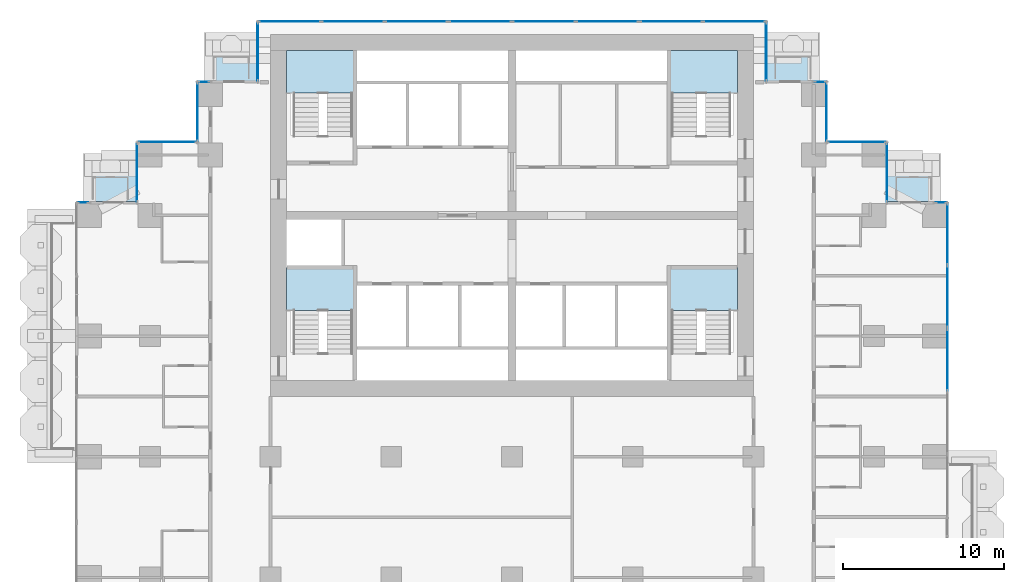
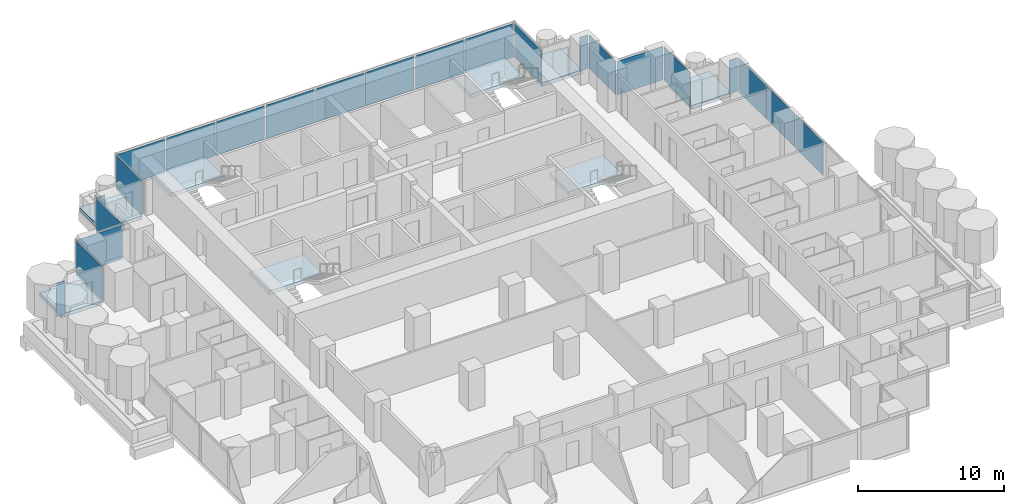
# One storey, part 9 of 18: 23 plates, 8 slabs, 21 elements without a shape of their own.
"""IFC4 building model written with IfcOpenShell, lengths in metres."""

from ifc_helpers import new_model, si_unit, direction, frame, origin, origin_2d, place, context, subcontext, project, spatial, polyline, rectangle, outline, extrude, material, layer, layer_set, type_object, element, aggregate, save


model = new_model("IFC4")

# Units and contexts
model_context = context("Model", 3, precision=1e-05, world=origin(), true_north=direction((0.0, 1.0)))
body_context = subcontext(model_context, "Body", "Model", "MODEL_VIEW")
ifc_project = project(units=[si_unit("LENGTHUNIT", "METRE"), si_unit("AREAUNIT", "SQUARE_METRE"), si_unit("VOLUMEUNIT", "CUBIC_METRE"), si_unit("PLANEANGLEUNIT", "RADIAN"), si_unit("MASSUNIT", "GRAM", prefix="KILO")], contexts=[model_context])

# Site, building, storey
site_placement = place(None, origin())
site = spatial("IfcSite", under=ifc_project, at=site_placement, CompositionType="ELEMENT")
building_placement = place(site_placement, origin())
building = spatial("IfcBuilding", under=site, at=building_placement, Name="Pilkhan Gate Tower", CompositionType="ELEMENT")
storey_placement = place(building_placement, frame((0.0, 0.0, 82.39990234375)))
storey = spatial("IfcBuildingStorey", under=building, at=storey_placement, Name="L19", CompositionType="ELEMENT", Elevation=82.39990234375)

# Slabs
ifc_material_1 = material(Name="Concrete C60/75", Category="concrete")
ifc_layer_1 = layer(ifc_material_1, 0.300048828125)
ifc_layer_set_1 = layer_set([ifc_layer_1], Name="Balcony tray slab TR300")
slab_type_1 = type_object("IfcSlabType", Name="Balcony tray slab TR300", PredefinedType="FLOOR", material=ifc_layer_set_1)
slab_1_placement = place(storey_placement, frame((0.0, 0.0, -0.2998046875)))
element("IfcSlab", 1, at=slab_1_placement, inside=storey, type_object=slab_type_1, Name="Balcony tray L19 N", PredefinedType="FLOOR", context=body_context, shape_type="SweptSolid", body=[
    extrude(outline(polyline([(59.14990234375, 90.85009765625), (59.14990234375, 93.85009765625), (55.949951171875, 93.85009765625), (55.949951171875, 90.85009765625), (59.14990234375, 90.85009765625)])), origin(), (0.0, 0.0, 1.0), 0.2998046875),
])
slab_2_placement = place(storey_placement, frame((0.0, 0.0, -0.2998046875)))
element("IfcSlab", 2, at=slab_2_placement, inside=storey, type_object=slab_type_1, Name="Balcony tray L19 N", PredefinedType="FLOOR", context=body_context, shape_type="SweptSolid", body=[
    extrude(outline(polyline([(94.050048828125, 90.85009765625), (94.050048828125, 93.85009765625), (90.85009765625, 93.85009765625), (90.85009765625, 90.85009765625), (94.050048828125, 90.85009765625)])), origin(), (0.0, 0.0, 1.0), 0.2998046875),
])
slab_3_placement = place(storey_placement, frame((0.0, 0.0, -0.2998046875)))
element("IfcSlab", 3, at=slab_3_placement, inside=storey, type_object=slab_type_1, Name="Balcony tray L19 N", PredefinedType="FLOOR", context=body_context, shape_type="SweptSolid", body=[
    extrude(outline(polyline([(51.6298828125, 83.3701171875), (51.6298828125, 86.35009765625), (48.449951171875, 86.35009765625), (48.449951171875, 83.3701171875), (51.6298828125, 83.3701171875)])), origin(), (0.0, 0.0, 1.0), 0.2998046875),
])
slab_4_placement = place(storey_placement, frame((0.0, 0.0, -0.2998046875)))
element("IfcSlab", 4, at=slab_4_placement, inside=storey, type_object=slab_type_1, Name="Balcony tray L19 N", PredefinedType="FLOOR", context=body_context, shape_type="SweptSolid", body=[
    extrude(outline(polyline([(101.550048828125, 83.3701171875), (101.550048828125, 86.35009765625), (98.3701171875, 86.35009765625), (98.3701171875, 83.3701171875), (101.550048828125, 83.3701171875)])), origin(), (0.0, 0.0, 1.0), 0.2998046875),
])

# Curtain wall, plate
ifc_material_2 = material(Name="Pale anodised aluminium, clear low-iron double glazing", Category="aluminium")
curtain_wall_type = type_object("IfcCurtainWallType", Name="Hotel unitised curtain wall CW-H", PredefinedType="USERDEFINED", material=ifc_material_2)
curtain_wall_1_placement = place(storey_placement, origin())
curtain_wall_1 = element("IfcCurtainWall", 5, at=curtain_wall_1_placement, inside=storey, type_object=curtain_wall_type, Name="Hotel unitised curtain wall CW-H L19 E", ObjectType="UNITISED CURTAIN WALL", PredefinedType="USERDEFINED")
ifc_material_3 = material(Name="Clear low-iron double glazing", Category="glass")
ifc_layer_2 = layer(ifc_material_3, 0.035888671875)
ifc_layer_set_2 = layer_set([ifc_layer_2], Name="Glass panel CW-H 36")
plate_type = type_object("IfcPlateType", Name="Glass panel CW-H 36", PredefinedType="CURTAIN_PANEL", material=ifc_layer_set_2)
plate_1_placement = place(storey_placement, frame((102.044921875, 73.50634765625, 0.0), z_axis=(0.0, 0.0, 1.0), x_axis=(0.0, 1.0, 0.0)))
plate_1 = element("IfcPlate", 6, at=plate_1_placement, type_object=plate_type, Name="CW-H panel 3", PredefinedType="CURTAIN_PANEL", context=body_context, shape_type="SweptSolid", body=[
    extrude(rectangle(XDim=3.8115234375, YDim=0.035888671875, at=origin_2d()), origin(), (0.0, 0.0, 1.0), 2.820068359375),
])
aggregate(curtain_wall_1, [plate_1])

# Curtain wall, plates
curtain_wall_2_placement = place(storey_placement, origin())
curtain_wall_2 = element("IfcCurtainWall", 7, at=curtain_wall_2_placement, inside=storey, type_object=curtain_wall_type, Name="Hotel unitised curtain wall CW-H L19 E", ObjectType="UNITISED CURTAIN WALL", PredefinedType="USERDEFINED")
plate_2_placement = place(storey_placement, frame((102.044921875, 77.44775390625, 0.0), z_axis=(0.0, 0.0, 1.0), x_axis=(0.0, 1.0, 0.0)))
plate_2 = element("IfcPlate", 8, at=plate_2_placement, type_object=plate_type, Name="CW-H panel 1", PredefinedType="CURTAIN_PANEL", context=body_context, shape_type="SweptSolid", body=[
    extrude(rectangle(XDim=3.8115234375, YDim=0.035888671875, at=origin_2d()), origin(), (0.0, 0.0, 1.0), 2.820068359375),
])
plate_3_placement = place(storey_placement, frame((102.044921875, 81.32421875, 0.0), z_axis=(0.0, 0.0, 1.0), x_axis=(0.0, 1.0, 0.0)))
plate_3 = element("IfcPlate", 9, at=plate_3_placement, type_object=plate_type, Name="CW-H panel 2", PredefinedType="CURTAIN_PANEL", context=body_context, shape_type="SweptSolid", body=[
    extrude(rectangle(XDim=3.8115234375, YDim=0.035888671875, at=origin_2d()), origin(), (0.0, 0.0, 1.0), 2.820068359375),
])
aggregate(curtain_wall_2, [plate_2, plate_3])

# Curtain wall, plate
curtain_wall_3_placement = place(storey_placement, origin())
curtain_wall_3 = element("IfcCurtainWall", 10, at=curtain_wall_3_placement, inside=storey, type_object=curtain_wall_type, Name="Hotel unitised curtain wall CW-H L19 N", ObjectType="UNITISED CURTAIN WALL", PredefinedType="USERDEFINED")
plate_4_placement = place(storey_placement, frame((101.6474609375, 83.294921875, 0.0), z_axis=(0.0, 0.0, 1.0), x_axis=(1.0, 0.0, 0.0)))
plate_4 = element("IfcPlate", 11, at=plate_4_placement, type_object=plate_type, Name="CW-H panel 1", PredefinedType="CURTAIN_PANEL", context=body_context, shape_type="SweptSolid", body=[
    extrude(rectangle(XDim=0.6650390625, YDim=0.035888671875, at=origin_2d()), origin(), (0.0, 0.0, 1.0), 2.820068359375),
])
aggregate(curtain_wall_3, [plate_4])

curtain_wall_4_placement = place(storey_placement, origin())
curtain_wall_4 = element("IfcCurtainWall", 12, at=curtain_wall_4_placement, inside=storey, type_object=curtain_wall_type, Name="Hotel unitised curtain wall CW-H L19 E", ObjectType="UNITISED CURTAIN WALL", PredefinedType="USERDEFINED")
plate_5_placement = place(storey_placement, frame((98.294921875, 85.169921875, 0.0), z_axis=(0.0, 0.0, 1.0), x_axis=(0.0, 1.0, 0.0)))
plate_5 = element("IfcPlate", 13, at=plate_5_placement, type_object=plate_type, Name="CW-H panel 1", PredefinedType="CURTAIN_PANEL", context=body_context, shape_type="SweptSolid", body=[
    extrude(rectangle(XDim=3.6201171875, YDim=0.035888671875, at=origin_2d()), origin(), (0.0, 0.0, 1.0), 2.820068359375),
])
aggregate(curtain_wall_4, [plate_5])

curtain_wall_5_placement = place(storey_placement, origin())
curtain_wall_5 = element("IfcCurtainWall", 14, at=curtain_wall_5_placement, inside=storey, type_object=curtain_wall_type, Name="Hotel unitised curtain wall CW-H L19 N", ObjectType="UNITISED CURTAIN WALL", PredefinedType="USERDEFINED")
plate_6_placement = place(storey_placement, frame((96.419921875, 87.044921875, 0.0), z_axis=(0.0, 0.0, 1.0), x_axis=(1.0, 0.0, 0.0)))
plate_6 = element("IfcPlate", 15, at=plate_6_placement, type_object=plate_type, Name="CW-H panel 1", PredefinedType="CURTAIN_PANEL", context=body_context, shape_type="SweptSolid", body=[
    extrude(rectangle(XDim=3.6201171875, YDim=0.035888671875, at=origin_2d()), origin(), (0.0, 0.0, 1.0), 2.820068359375),
])
aggregate(curtain_wall_5, [plate_6])

curtain_wall_6_placement = place(storey_placement, origin())
curtain_wall_6 = element("IfcCurtainWall", 16, at=curtain_wall_6_placement, inside=storey, type_object=curtain_wall_type, Name="Hotel unitised curtain wall CW-H L19 E", ObjectType="UNITISED CURTAIN WALL", PredefinedType="USERDEFINED")
plate_7_placement = place(storey_placement, frame((94.544921875, 88.919921875, 0.0), z_axis=(0.0, 0.0, 1.0), x_axis=(0.0, 1.0, 0.0)))
plate_7 = element("IfcPlate", 17, at=plate_7_placement, type_object=plate_type, Name="CW-H panel 1", PredefinedType="CURTAIN_PANEL", context=body_context, shape_type="SweptSolid", body=[
    extrude(rectangle(XDim=3.6201171875, YDim=0.035888671875, at=origin_2d()), origin(), (0.0, 0.0, 1.0), 2.820068359375),
])
aggregate(curtain_wall_6, [plate_7])

curtain_wall_7_placement = place(storey_placement, origin())
curtain_wall_7 = element("IfcCurtainWall", 18, at=curtain_wall_7_placement, inside=storey, type_object=curtain_wall_type, Name="Hotel unitised curtain wall CW-H L19 N", ObjectType="UNITISED CURTAIN WALL", PredefinedType="USERDEFINED")
plate_8_placement = place(storey_placement, frame((94.1474609375, 90.794921875, 0.0), z_axis=(0.0, 0.0, 1.0), x_axis=(1.0, 0.0, 0.0)))
plate_8 = element("IfcPlate", 19, at=plate_8_placement, type_object=plate_type, Name="CW-H panel 1", PredefinedType="CURTAIN_PANEL", context=body_context, shape_type="SweptSolid", body=[
    extrude(rectangle(XDim=0.6650390625, YDim=0.035888671875, at=origin_2d()), origin(), (0.0, 0.0, 1.0), 2.820068359375),
])
aggregate(curtain_wall_7, [plate_8])

curtain_wall_8_placement = place(storey_placement, origin())
curtain_wall_8 = element("IfcCurtainWall", 20, at=curtain_wall_8_placement, inside=storey, type_object=curtain_wall_type, Name="Hotel unitised curtain wall CW-H L19 E", ObjectType="UNITISED CURTAIN WALL", PredefinedType="USERDEFINED")
plate_9_placement = place(storey_placement, frame((90.794921875, 92.669921875, 0.0), z_axis=(0.0, 0.0, 1.0), x_axis=(0.0, 1.0, 0.0)))
plate_9 = element("IfcPlate", 21, at=plate_9_placement, type_object=plate_type, Name="CW-H panel 1", PredefinedType="CURTAIN_PANEL", context=body_context, shape_type="SweptSolid", body=[
    extrude(rectangle(XDim=3.6201171875, YDim=0.035888671875, at=origin_2d()), origin(), (0.0, 0.0, 1.0), 2.820068359375),
])
aggregate(curtain_wall_8, [plate_9])

# Curtain wall, plates
curtain_wall_9_placement = place(storey_placement, origin())
curtain_wall_9 = element("IfcCurtainWall", 22, at=curtain_wall_9_placement, inside=storey, type_object=curtain_wall_type, Name="Hotel unitised curtain wall CW-H L19 N", ObjectType="UNITISED CURTAIN WALL", PredefinedType="USERDEFINED")
plate_10_placement = place(storey_placement, frame((61.195556640625, 94.544921875, 0.0), z_axis=(0.0, 0.0, 1.0), x_axis=(1.0, 0.0, 0.0)))
plate_10 = element("IfcPlate", 23, at=plate_10_placement, type_object=plate_type, Name="CW-H panel 1", PredefinedType="CURTAIN_PANEL", context=body_context, shape_type="SweptSolid", body=[
    extrude(rectangle(XDim=3.851318359375, YDim=0.035888671875, at=origin_2d()), origin(), (0.0, 0.0, 1.0), 2.820068359375),
])
plate_11_placement = place(storey_placement, frame((65.128173828125, 94.544921875, 0.0), z_axis=(0.0, 0.0, 1.0), x_axis=(1.0, 0.0, 0.0)))
plate_11 = element("IfcPlate", 24, at=plate_11_placement, type_object=plate_type, Name="CW-H panel 2", PredefinedType="CURTAIN_PANEL", context=body_context, shape_type="SweptSolid", body=[
    extrude(rectangle(XDim=3.8837890625, YDim=0.035888671875, at=origin_2d()), origin(), (0.0, 0.0, 1.0), 2.820068359375),
])
plate_12_placement = place(storey_placement, frame((69.060546875, 94.544921875, 0.0), z_axis=(0.0, 0.0, 1.0), x_axis=(1.0, 0.0, 0.0)))
plate_12 = element("IfcPlate", 25, at=plate_12_placement, type_object=plate_type, Name="CW-H panel 3", PredefinedType="CURTAIN_PANEL", context=body_context, shape_type="SweptSolid", body=[
    extrude(rectangle(XDim=3.851318359375, YDim=0.035888671875, at=origin_2d()), origin(), (0.0, 0.0, 1.0), 2.820068359375),
])
aggregate(curtain_wall_9, [plate_10, plate_11, plate_12])

curtain_wall_10_placement = place(storey_placement, origin())
curtain_wall_10 = element("IfcCurtainWall", 26, at=curtain_wall_10_placement, inside=storey, type_object=curtain_wall_type, Name="Hotel unitised curtain wall CW-H L19 N", ObjectType="UNITISED CURTAIN WALL", PredefinedType="USERDEFINED")
plate_13_placement = place(storey_placement, frame((73.0419921875, 94.544921875, 0.0), z_axis=(0.0, 0.0, 1.0), x_axis=(1.0, 0.0, 0.0)))
plate_13 = element("IfcPlate", 27, at=plate_13_placement, type_object=plate_type, Name="CW-H panel 1", PredefinedType="CURTAIN_PANEL", context=body_context, shape_type="SweptSolid", body=[
    extrude(rectangle(XDim=3.851318359375, YDim=0.035888671875, at=origin_2d()), origin(), (0.0, 0.0, 1.0), 2.820068359375),
])
plate_14_placement = place(storey_placement, frame((76.974365234375, 94.544921875, 0.0), z_axis=(0.0, 0.0, 1.0), x_axis=(1.0, 0.0, 0.0)))
plate_14 = element("IfcPlate", 28, at=plate_14_placement, type_object=plate_type, Name="CW-H panel 2", PredefinedType="CURTAIN_PANEL", context=body_context, shape_type="SweptSolid", body=[
    extrude(rectangle(XDim=3.8837890625, YDim=0.035888671875, at=origin_2d()), origin(), (0.0, 0.0, 1.0), 2.820068359375),
])
plate_15_placement = place(storey_placement, frame((80.906982421875, 94.544921875, 0.0), z_axis=(0.0, 0.0, 1.0), x_axis=(1.0, 0.0, 0.0)))
plate_15 = element("IfcPlate", 29, at=plate_15_placement, type_object=plate_type, Name="CW-H panel 3", PredefinedType="CURTAIN_PANEL", context=body_context, shape_type="SweptSolid", body=[
    extrude(rectangle(XDim=3.851318359375, YDim=0.035888671875, at=origin_2d()), origin(), (0.0, 0.0, 1.0), 2.820068359375),
])
aggregate(curtain_wall_10, [plate_13, plate_14, plate_15])

curtain_wall_11_placement = place(storey_placement, origin())
curtain_wall_11 = element("IfcCurtainWall", 30, at=curtain_wall_11_placement, inside=storey, type_object=curtain_wall_type, Name="Hotel unitised curtain wall CW-H L19 N", ObjectType="UNITISED CURTAIN WALL", PredefinedType="USERDEFINED")
plate_16_placement = place(storey_placement, frame((84.88818359375, 94.544921875, 0.0), z_axis=(0.0, 0.0, 1.0), x_axis=(1.0, 0.0, 0.0)))
plate_16 = element("IfcPlate", 31, at=plate_16_placement, type_object=plate_type, Name="CW-H panel 1", PredefinedType="CURTAIN_PANEL", context=body_context, shape_type="SweptSolid", body=[
    extrude(rectangle(XDim=3.851318359375, YDim=0.035888671875, at=origin_2d()), origin(), (0.0, 0.0, 1.0), 2.820068359375),
])
plate_17_placement = place(storey_placement, frame((88.804443359375, 94.544921875, 0.0), z_axis=(0.0, 0.0, 1.0), x_axis=(1.0, 0.0, 0.0)))
plate_17 = element("IfcPlate", 32, at=plate_17_placement, type_object=plate_type, Name="CW-H panel 2", PredefinedType="CURTAIN_PANEL", context=body_context, shape_type="SweptSolid", body=[
    extrude(rectangle(XDim=3.851318359375, YDim=0.035888671875, at=origin_2d()), origin(), (0.0, 0.0, 1.0), 2.820068359375),
])
aggregate(curtain_wall_11, [plate_16, plate_17])

# Curtain wall, plate
curtain_wall_12_placement = place(storey_placement, origin())
curtain_wall_12 = element("IfcCurtainWall", 33, at=curtain_wall_12_placement, inside=storey, type_object=curtain_wall_type, Name="Hotel unitised curtain wall CW-H L19 W", ObjectType="UNITISED CURTAIN WALL", PredefinedType="USERDEFINED")
plate_18_placement = place(storey_placement, frame((59.205078125, 92.669921875, 0.0), z_axis=(0.0, 0.0, 1.0), x_axis=(0.0, 1.0, 0.0)))
plate_18 = element("IfcPlate", 34, at=plate_18_placement, type_object=plate_type, Name="CW-H panel 1", PredefinedType="CURTAIN_PANEL", context=body_context, shape_type="SweptSolid", body=[
    extrude(rectangle(XDim=3.6201171875, YDim=0.035888671875, at=origin_2d()), origin(), (0.0, 0.0, 1.0), 2.820068359375),
])
aggregate(curtain_wall_12, [plate_18])

curtain_wall_13_placement = place(storey_placement, origin())
curtain_wall_13 = element("IfcCurtainWall", 35, at=curtain_wall_13_placement, inside=storey, type_object=curtain_wall_type, Name="Hotel unitised curtain wall CW-H L19 N", ObjectType="UNITISED CURTAIN WALL", PredefinedType="USERDEFINED")
plate_19_placement = place(storey_placement, frame((55.8525390625, 90.794921875, 0.0), z_axis=(0.0, 0.0, 1.0), x_axis=(1.0, 0.0, 0.0)))
plate_19 = element("IfcPlate", 36, at=plate_19_placement, type_object=plate_type, Name="CW-H panel 1", PredefinedType="CURTAIN_PANEL", context=body_context, shape_type="SweptSolid", body=[
    extrude(rectangle(XDim=0.6650390625, YDim=0.035888671875, at=origin_2d()), origin(), (0.0, 0.0, 1.0), 2.820068359375),
])
aggregate(curtain_wall_13, [plate_19])

curtain_wall_14_placement = place(storey_placement, origin())
curtain_wall_14 = element("IfcCurtainWall", 37, at=curtain_wall_14_placement, inside=storey, type_object=curtain_wall_type, Name="Hotel unitised curtain wall CW-H L19 W", ObjectType="UNITISED CURTAIN WALL", PredefinedType="USERDEFINED")
plate_20_placement = place(storey_placement, frame((55.455078125, 88.919921875, 0.0), z_axis=(0.0, 0.0, 1.0), x_axis=(0.0, 1.0, 0.0)))
plate_20 = element("IfcPlate", 38, at=plate_20_placement, type_object=plate_type, Name="CW-H panel 1", PredefinedType="CURTAIN_PANEL", context=body_context, shape_type="SweptSolid", body=[
    extrude(rectangle(XDim=3.6201171875, YDim=0.035888671875, at=origin_2d()), origin(), (0.0, 0.0, 1.0), 2.820068359375),
])
aggregate(curtain_wall_14, [plate_20])

curtain_wall_15_placement = place(storey_placement, origin())
curtain_wall_15 = element("IfcCurtainWall", 39, at=curtain_wall_15_placement, inside=storey, type_object=curtain_wall_type, Name="Hotel unitised curtain wall CW-H L19 N", ObjectType="UNITISED CURTAIN WALL", PredefinedType="USERDEFINED")
plate_21_placement = place(storey_placement, frame((53.580078125, 87.044921875, 0.0), z_axis=(0.0, 0.0, 1.0), x_axis=(1.0, 0.0, 0.0)))
plate_21 = element("IfcPlate", 40, at=plate_21_placement, type_object=plate_type, Name="CW-H panel 1", PredefinedType="CURTAIN_PANEL", context=body_context, shape_type="SweptSolid", body=[
    extrude(rectangle(XDim=3.6201171875, YDim=0.035888671875, at=origin_2d()), origin(), (0.0, 0.0, 1.0), 2.820068359375),
])
aggregate(curtain_wall_15, [plate_21])

curtain_wall_16_placement = place(storey_placement, origin())
curtain_wall_16 = element("IfcCurtainWall", 41, at=curtain_wall_16_placement, inside=storey, type_object=curtain_wall_type, Name="Hotel unitised curtain wall CW-H L19 W", ObjectType="UNITISED CURTAIN WALL", PredefinedType="USERDEFINED")
plate_22_placement = place(storey_placement, frame((51.705078125, 85.169921875, 0.0), z_axis=(0.0, 0.0, 1.0), x_axis=(0.0, 1.0, 0.0)))
plate_22 = element("IfcPlate", 42, at=plate_22_placement, type_object=plate_type, Name="CW-H panel 1", PredefinedType="CURTAIN_PANEL", context=body_context, shape_type="SweptSolid", body=[
    extrude(rectangle(XDim=3.6201171875, YDim=0.035888671875, at=origin_2d()), origin(), (0.0, 0.0, 1.0), 2.820068359375),
])
aggregate(curtain_wall_16, [plate_22])

curtain_wall_17_placement = place(storey_placement, origin())
curtain_wall_17 = element("IfcCurtainWall", 43, at=curtain_wall_17_placement, inside=storey, type_object=curtain_wall_type, Name="Hotel unitised curtain wall CW-H L19 N", ObjectType="UNITISED CURTAIN WALL", PredefinedType="USERDEFINED")
plate_23_placement = place(storey_placement, frame((48.3525390625, 83.294921875, 0.0), z_axis=(0.0, 0.0, 1.0), x_axis=(1.0, 0.0, 0.0)))
plate_23 = element("IfcPlate", 44, at=plate_23_placement, type_object=plate_type, Name="CW-H panel 1", PredefinedType="CURTAIN_PANEL", context=body_context, shape_type="SweptSolid", body=[
    extrude(rectangle(XDim=0.6650390625, YDim=0.035888671875, at=origin_2d()), origin(), (0.0, 0.0, 1.0), 2.820068359375),
])
aggregate(curtain_wall_17, [plate_23])

# Stair, slab
ifc_material_4 = material(Name="Concrete C40/50 precast", Category="concrete")
stair_type_1 = type_object("IfcStairType", Name="Stair ST1 165x300", PredefinedType="HALF_TURN_STAIR", material=ifc_material_4)
stair_1_placement = place(storey_placement, origin())
stair_1 = element("IfcStair", 45, at=stair_1_placement, inside=storey, type_object=stair_type_1, Name="Stair ST1 L19", PredefinedType="HALF_TURN_STAIR")
ifc_material_5 = material(Name="Concrete C40/50", Category="concrete")
ifc_layer_3 = layer(ifc_material_5, 0.199951171875)
ifc_layer_set_3 = layer_set([ifc_layer_3], Name="Stair landing SL200")
slab_type_2 = type_object("IfcSlabType", Name="Stair landing SL200", PredefinedType="LANDING", material=ifc_layer_set_3)
slab_5_placement = place(storey_placement, frame((0.0, 0.0, 1.35009765625)))
slab_5 = element("IfcSlab", 46, at=slab_5_placement, type_object=slab_type_2, Name="ST1 landing 1", PredefinedType="LANDING", context=body_context, shape_type="SweptSolid", body=[
    extrude(outline(polyline([(89.0, 76.60009765625), (89.0, 79.25), (84.75, 79.25), (84.75, 76.60009765625), (89.0, 76.60009765625)])), origin(), (0.0, 0.0, 1.0), 0.300048828125),
])
aggregate(stair_1, [slab_5])

stair_type_2 = type_object("IfcStairType", Name="Stair ST2 165x300", PredefinedType="HALF_TURN_STAIR", material=ifc_material_4)
stair_2_placement = place(storey_placement, origin())
stair_2 = element("IfcStair", 47, at=stair_2_placement, inside=storey, type_object=stair_type_2, Name="Stair ST2 L19", PredefinedType="HALF_TURN_STAIR")
slab_6_placement = place(storey_placement, frame((0.0, 0.0, 1.35009765625)))
slab_6 = element("IfcSlab", 48, at=slab_6_placement, type_object=slab_type_2, Name="ST2 landing 1", PredefinedType="LANDING", context=body_context, shape_type="SweptSolid", body=[
    extrude(outline(polyline([(65.25, 76.60009765625), (65.25, 79.25), (61.0, 79.25), (61.0, 76.60009765625), (65.25, 76.60009765625)])), origin(), (0.0, 0.0, 1.0), 0.300048828125),
])
aggregate(stair_2, [slab_6])

stair_type_3 = type_object("IfcStairType", Name="Stair ST3 165x300", PredefinedType="HALF_TURN_STAIR", material=ifc_material_4)
stair_3_placement = place(storey_placement, origin())
stair_3 = element("IfcStair", 49, at=stair_3_placement, inside=storey, type_object=stair_type_3, Name="Stair ST3 L19", PredefinedType="HALF_TURN_STAIR")
slab_7_placement = place(storey_placement, frame((0.0, 0.0, 1.35009765625)))
slab_7 = element("IfcSlab", 50, at=slab_7_placement, type_object=slab_type_2, Name="ST3 landing 1", PredefinedType="LANDING", context=body_context, shape_type="SweptSolid", body=[
    extrude(outline(polyline([(65.25, 90.10009765625), (65.25, 92.75), (61.0, 92.75), (61.0, 90.10009765625), (65.25, 90.10009765625)])), origin(), (0.0, 0.0, 1.0), 0.300048828125),
])
aggregate(stair_3, [slab_7])

stair_type_4 = type_object("IfcStairType", Name="Stair ST4 165x300", PredefinedType="HALF_TURN_STAIR", material=ifc_material_4)
stair_4_placement = place(storey_placement, origin())
stair_4 = element("IfcStair", 51, at=stair_4_placement, inside=storey, type_object=stair_type_4, Name="Stair ST4 L19", PredefinedType="HALF_TURN_STAIR")
slab_8_placement = place(storey_placement, frame((0.0, 0.0, 1.35009765625)))
slab_8 = element("IfcSlab", 52, at=slab_8_placement, type_object=slab_type_2, Name="ST4 landing 1", PredefinedType="LANDING", context=body_context, shape_type="SweptSolid", body=[
    extrude(outline(polyline([(89.0, 90.10009765625), (89.0, 92.75), (84.75, 92.75), (84.75, 90.10009765625), (89.0, 90.10009765625)])), origin(), (0.0, 0.0, 1.0), 0.300048828125),
])
aggregate(stair_4, [slab_8])

save(model, "model.ifc")
